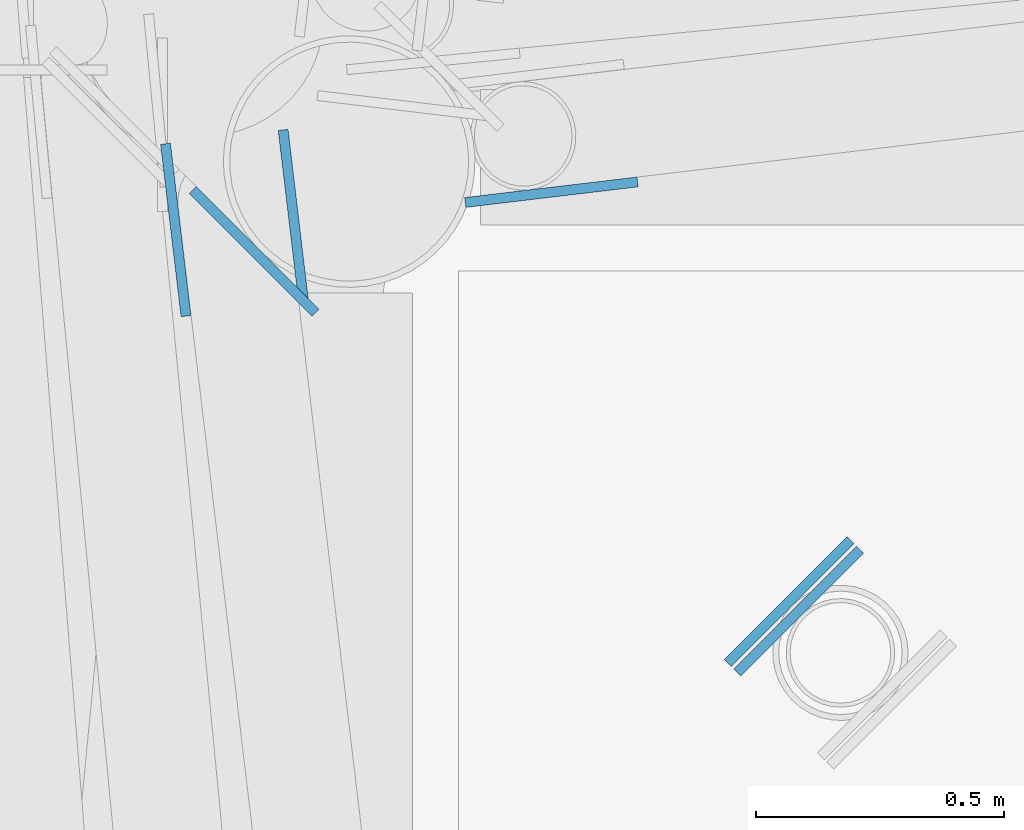
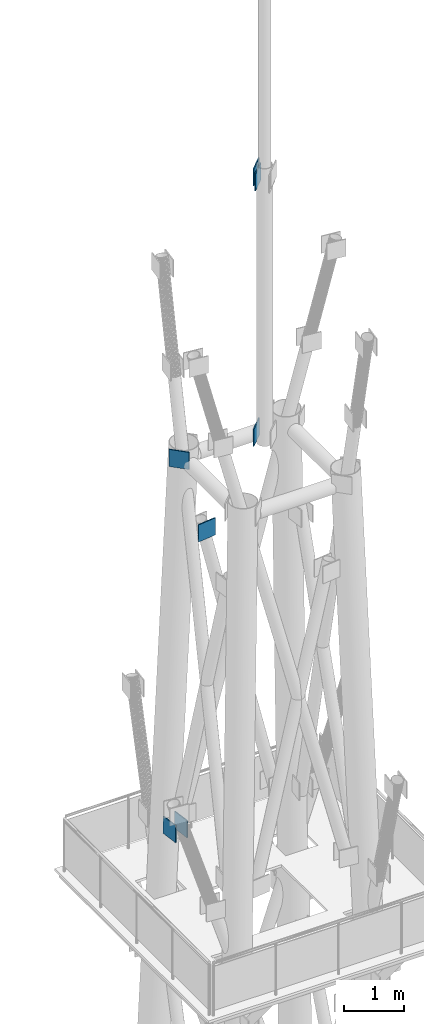
# One storey, part 14 of 25: 7 discrete accessories.
"""IFC4 building model written with IfcOpenShell, lengths in metres."""

from ifc_helpers import new_model, si_unit, direction, frame, origin, origin_2d, place, context, subcontext, project, spatial, rectangle, extrude, element, save


model = new_model("IFC4")

# Units and contexts
model_context = context("Model", 3, precision=1e-05, world=origin(), true_north=direction((0.0, 1.0)))
body_context = subcontext(model_context, "Body", "Model", "MODEL_VIEW")
ifc_project = project(units=[si_unit("LENGTHUNIT", "METRE"), si_unit("AREAUNIT", "SQUARE_METRE"), si_unit("VOLUMEUNIT", "CUBIC_METRE"), si_unit("PLANEANGLEUNIT", "RADIAN"), si_unit("MASSUNIT", "GRAM", prefix="KILO")], contexts=[model_context])

# Site, building, storey
site_placement = place(None, origin())
site = spatial("IfcSite", under=ifc_project, at=site_placement, CompositionType="ELEMENT")
building_placement = place(site_placement, origin())
building = spatial("IfcBuilding", under=site, at=building_placement, Name="Vidyagriha Tower", CompositionType="ELEMENT")
storey_placement = place(building_placement, frame((0.0, 0.0, 318.39990234375)))
storey = spatial("IfcBuildingStorey", under=building, at=storey_placement, Name="RF", CompositionType="ELEMENT", Elevation=318.39990234375)

# Discrete accessories
for number, where, z_axis, x_axis, name in (
    (1, (-1.182861328125, 13.8095703125, 49.9501953125), (0.0, 0.0, 1.0), (0.707106781187, -0.707106781187, 0.0), "End plate ASTM A572 Grade 50 20mm"),
    (2, (-0.5830078125, 13.92919921875, 48.227783203125), (0.0, 0.0, 1.0), (-0.99299585355, -0.118149205805, 0.0), "End plate ASTM A572 Grade 50 20mm"),
    (3, (-1.3408203125, 13.85302734375, 42.42236328125), (0.0, 0.0, 1.0), (-0.118149205805, 0.99299585355, 0.0), "End plate ASTM A572 Grade 50 20mm"),
    (4, (-1.103515625, 13.881103515625, 42.42236328125), (0.0, 0.0, 1.0), (-0.118149205805, 0.99299585355, 0.0), "End plate ASTM A572 Grade 50 20mm"),
    (5, (-0.103515625, 13.103515625, 50.5556640625), (0.0, 0.0, 1.0), (0.707106781187, 0.707106781187, 0.0), "End plate ASTM A572 Grade 50 20mm"),
    (6, (-0.103515625, 13.103515625, 55.872314453125), (0.0, 0.0, 1.0), (0.707106781187, 0.707106781187, 0.0), "End plate ASTM A572 Grade 50 20mm"),
    (7, (-0.08447265625, 13.08447265625, 55.772216796875), (0.0, 0.0, 1.0), (0.707106781187, 0.707106781187, 0.0), "End plate ASTM A572 Grade 50 20mm"),
):
    element("IfcDiscreteAccessory", number, at=place(storey_placement, frame(where, z_axis=z_axis, x_axis=x_axis)), inside=storey, Name=name, ObjectType="END PLATE", PredefinedType="USERDEFINED", context=body_context, shape_type="SweptSolid", body=[
        extrude(rectangle(XDim=0.35009765625, YDim=0.02001953125, at=origin_2d()), origin(), (0.0, 0.0, 1.0), 0.35009765625),
    ])

save(model, "model.ifc")
